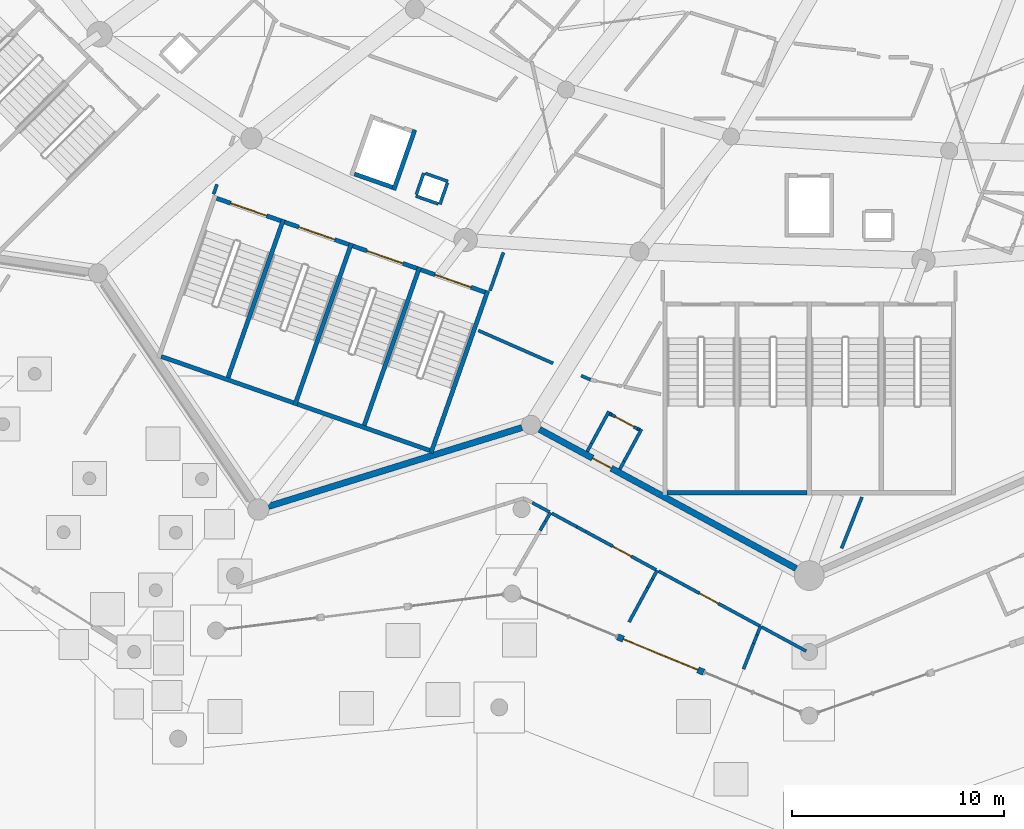
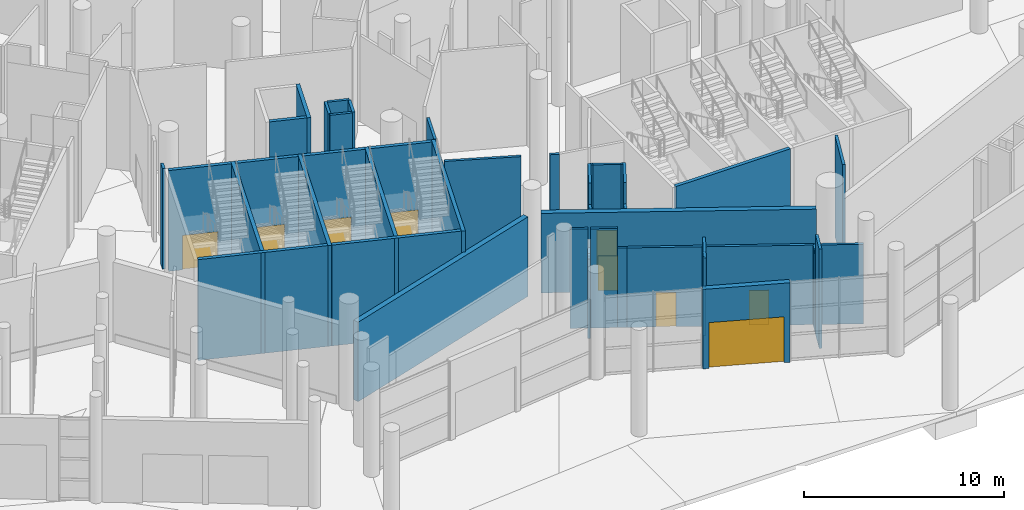
# One storey, part 104 of 255: 46 walls, 9 doors, 9 openings.
"""IFC4 building model written with IfcOpenShell, lengths in metres."""

from ifc_helpers import new_model, si_unit, direction, frame, frame_2d, origin, place, context, subcontext, project, spatial, rectangle, extrude, material, layer, layer_set, type_object, element, fill, save


model = new_model("IFC4")

# Units and contexts
model_context = context("Model", 3, precision=1e-05, world=origin(), true_north=direction((0.0, 1.0)))
body_context = subcontext(model_context, "Body", "Model", "MODEL_VIEW")
ifc_project = project(units=[si_unit("LENGTHUNIT", "METRE"), si_unit("AREAUNIT", "SQUARE_METRE"), si_unit("VOLUMEUNIT", "CUBIC_METRE"), si_unit("PLANEANGLEUNIT", "RADIAN"), si_unit("MASSUNIT", "GRAM", prefix="KILO")], contexts=[model_context])

# Site, building, storey
site_placement = place(None, origin())
site = spatial("IfcSite", under=ifc_project, at=site_placement, CompositionType="ELEMENT")
building_placement = place(site_placement, origin())
building = spatial("IfcBuilding", under=site, at=building_placement, Name="Meseta Stadium", CompositionType="ELEMENT")
storey_placement = place(building_placement, origin())
storey = spatial("IfcBuildingStorey", under=building, at=storey_placement, Name="L00", CompositionType="ELEMENT", Elevation=0.0)

# Walls
ifc_material_1 = material(Name="Concrete C40/50", Category="concrete")
ifc_layer_1 = layer(ifc_material_1, 0.199951171875)
ifc_layer_set_1 = layer_set([ifc_layer_1], Name="Core divider wall 200")
wall_type_1 = type_object("IfcWallType", Name="Core divider wall 200", PredefinedType="SHEAR", material=ifc_layer_set_1)
for number, where, z_axis, x_axis, name in (
    (1, (-65.789306640625, -96.260009765625, 0.0), (0.0, 0.0, 1.0), (0.330280610426, 0.943882788474, 0.0), "Core 22 L00 stair A divider wall"),
    (2, (-59.370849609375, -98.505859375, 0.0), (0.0, 0.0, 1.0), (0.330280610426, 0.943882788474, 0.0), "Core 22 L00 stair B divider wall"),
):
    element("IfcWall", number, at=place(storey_placement, frame(where, z_axis=z_axis, x_axis=x_axis)), inside=storey, type_object=wall_type_1, Name=name, PredefinedType="SHEAR", context=body_context, shape_type="SweptSolid", body=[
        extrude(rectangle(XDim=8.10009765625, YDim=0.199951171875, at=frame_2d((4.050048828125, 0.0))), origin(), (0.0, 0.0, 1.0), 6.14990234375),
    ])
ifc_material_2 = material(Name="Concrete C40/50", Category="concrete")
ifc_layer_2 = layer(ifc_material_2, 0.199951171875)
ifc_layer_set_2 = layer_set([ifc_layer_2], Name="Core shaft wall 200")
wall_type_2 = type_object("IfcWallType", Name="Core shaft wall 200", PredefinedType="SHEAR", material=ifc_layer_set_2)
wall_1_placement = place(storey_placement, frame((-62.580078125, -97.3828125, 0.0), z_axis=(0.0, 0.0, 1.0), x_axis=(0.330290006891, 0.943879500438, 0.0)))
element("IfcWall", 3, at=wall_1_placement, inside=storey, type_object=wall_type_2, Name="Core 22 L00 stair wall shared", PredefinedType="SHEAR", context=body_context, shape_type="SweptSolid", body=[
    extrude(rectangle(XDim=8.099853515625, YDim=0.199951171875, at=frame_2d((4.0498046875, 0.0))), origin(), (0.0, 0.0, 1.0), 6.14990234375),
])
wall_2_placement = place(storey_placement, frame((-56.16162109375, -99.62890625, 0.0), z_axis=(0.0, 0.0, 1.0), x_axis=(0.330280610426, 0.943882788474, 0.0)))
element("IfcWall", 4, at=wall_2_placement, inside=storey, type_object=wall_type_2, Name="Core 22 L00 stair wall B-side", PredefinedType="SHEAR", context=body_context, shape_type="SweptSolid", body=[
    extrude(rectangle(XDim=8.10009765625, YDim=0.199951171875, at=frame_2d((4.050048828125, 0.0))), origin(), (0.0, 0.0, 1.0), 6.14990234375),
])
for number, where, z_axis, x_axis, name in (
    (5, (-68.87109375, -95.07568359375, 0.0), (0.0, 0.0, 1.0), (0.943880844925, -0.330286164688, 0.0), "Core 22 L00 stair A outer end wall"),
    (6, (-62.45263671875, -97.321533203125, 0.0), (0.0, 0.0, 1.0), (0.943880844925, -0.330286164688, 0.0), "Core 22 L00 stair B outer end wall"),
):
    element("IfcWall", number, at=place(storey_placement, frame(where, z_axis=z_axis, x_axis=x_axis)), inside=storey, type_object=wall_type_2, Name=name, PredefinedType="SHEAR", context=body_context, shape_type="SweptSolid", body=[
        extrude(rectangle(XDim=6.60009765625, YDim=0.199951171875, at=frame_2d((3.300048828125, 0.0))), origin(), (0.0, 0.0, 1.0), 6.14990234375),
    ])

# Wall, opening, door
wall_3_placement = place(storey_placement, frame((-66.26171875, -87.618896484375, 0.0), z_axis=(0.0, 0.0, 1.0), x_axis=(0.943878576031, -0.330292648585, 0.0)))
wall_3 = element("IfcWall", 7, at=wall_3_placement, inside=storey, type_object=wall_type_2, Name="Core 22 L00 stair A1 inner end wall", PredefinedType="SHEAR", context=body_context, shape_type="SweptSolid", body=[
    extrude(rectangle(XDim=3.199951171875, YDim=0.199951171875, at=frame_2d((1.60009765625, 0.0))), origin(), (0.0, 0.0, 1.0), 6.14990234375),
])
opening_1_placement = place(wall_3_placement, frame((0.699951171875, 0.0, 0.0)))
opening_1 = element("IfcOpeningElement", 8, at=opening_1_placement, cuts=wall_3, Name="Opening D297", PredefinedType="OPENING", context=body_context, shape_type="SweptSolid", body=[
    extrude(rectangle(XDim=1.800048828125, YDim=2.10009765625, at=frame_2d((0.89990234375, 1.050048828125))), frame((0.0, 0.10986328125, 0.0), z_axis=(0.0, -1.0, 0.0), x_axis=(1.0, 0.0, 0.0)), (0.0, 0.0, 1.0), 0.219970703125),
])
ifc_material_3 = material(Name="Steel", Category="steel")
door_type_1 = type_object("IfcDoorType", Name="Stair door 1800x2100", OperationType="DOUBLE_DOOR_SINGLE_SWING", PredefinedType="DOOR", material=ifc_material_3)
door_1_placement = place(opening_1_placement, origin())
door_1 = element("IfcDoor", 9, at=door_1_placement, inside=storey, type_object=door_type_1, Name="Stair A1 door 22 L00", OperationType="DOUBLE_DOOR_SINGLE_SWING", OverallHeight=2.10009765625, OverallWidth=1.800048828125, PredefinedType="DOOR", context=body_context, shape_type="SweptSolid", body=[
    extrude(rectangle(XDim=1.800048828125, YDim=2.10009765625, at=frame_2d((0.89990234375, 1.050048828125))), frame((0.0, 0.02490234375, 0.0), z_axis=(0.0, -1.0, 0.0), x_axis=(1.0, 0.0, 0.0)), (0.0, 0.0, 1.0), 0.050048828125),
])
fill(opening_1, door_1)

wall_4_placement = place(storey_placement, frame((-63.052490234375, -88.741943359375, 0.0), z_axis=(0.0, 0.0, 1.0), x_axis=(0.943878576031, -0.330292648585, 0.0)))
wall_4 = element("IfcWall", 10, at=wall_4_placement, inside=storey, type_object=wall_type_2, Name="Core 22 L00 stair A2 inner end wall", PredefinedType="SHEAR", context=body_context, shape_type="SweptSolid", body=[
    extrude(rectangle(XDim=3.199951171875, YDim=0.199951171875, at=frame_2d((1.60009765625, 0.0))), origin(), (0.0, 0.0, 1.0), 6.14990234375),
])
opening_2_placement = place(wall_4_placement, frame((0.699951171875, 0.0, 0.0)))
opening_2 = element("IfcOpeningElement", 11, at=opening_2_placement, cuts=wall_4, Name="Opening D298", PredefinedType="OPENING", context=body_context, shape_type="SweptSolid", body=[
    extrude(rectangle(XDim=1.800048828125, YDim=2.10009765625, at=frame_2d((0.89990234375, 1.050048828125))), frame((0.0, 0.10986328125, 0.0), z_axis=(0.0, -1.0, 0.0), x_axis=(1.0, 0.0, 0.0)), (0.0, 0.0, 1.0), 0.219970703125),
])
door_2_placement = place(opening_2_placement, origin())
door_2 = element("IfcDoor", 12, at=door_2_placement, inside=storey, type_object=door_type_1, Name="Stair A2 door 22 L00", OperationType="DOUBLE_DOOR_SINGLE_SWING", OverallHeight=2.10009765625, OverallWidth=1.800048828125, PredefinedType="DOOR", context=body_context, shape_type="SweptSolid", body=[
    extrude(rectangle(XDim=1.800048828125, YDim=2.10009765625, at=frame_2d((0.89990234375, 1.050048828125))), frame((0.0, 0.02490234375, 0.0), z_axis=(0.0, -1.0, 0.0), x_axis=(1.0, 0.0, 0.0)), (0.0, 0.0, 1.0), 0.050048828125),
])
fill(opening_2, door_2)

wall_5_placement = place(storey_placement, frame((-59.843505859375, -89.864990234375, 0.0), z_axis=(0.0, 0.0, 1.0), x_axis=(0.943886898693, -0.330268863922, 0.0)))
wall_5 = element("IfcWall", 13, at=wall_5_placement, inside=storey, type_object=wall_type_2, Name="Core 22 L00 stair B1 inner end wall", PredefinedType="SHEAR", context=body_context, shape_type="SweptSolid", body=[
    extrude(rectangle(XDim=3.2001953125, YDim=0.199951171875, at=frame_2d((1.60009765625, 0.0))), origin(), (0.0, 0.0, 1.0), 6.14990234375),
])
opening_3_placement = place(wall_5_placement, frame((0.699951171875, 0.0, 0.0)))
opening_3 = element("IfcOpeningElement", 14, at=opening_3_placement, cuts=wall_5, Name="Opening D299", PredefinedType="OPENING", context=body_context, shape_type="SweptSolid", body=[
    extrude(rectangle(XDim=1.800048828125, YDim=2.10009765625, at=frame_2d((0.89990234375, 1.050048828125))), frame((0.0, 0.10986328125, 0.0), z_axis=(0.0, -1.0, 0.0), x_axis=(1.0, 0.0, 0.0)), (0.0, 0.0, 1.0), 0.219970703125),
])
door_3_placement = place(opening_3_placement, origin())
door_3 = element("IfcDoor", 15, at=door_3_placement, inside=storey, type_object=door_type_1, Name="Stair B1 door 22 L00", OperationType="DOUBLE_DOOR_SINGLE_SWING", OverallHeight=2.10009765625, OverallWidth=1.800048828125, PredefinedType="DOOR", context=body_context, shape_type="SweptSolid", body=[
    extrude(rectangle(XDim=1.800048828125, YDim=2.10009765625, at=frame_2d((0.89990234375, 1.050048828125))), frame((0.0, 0.02490234375, 0.0), z_axis=(0.0, -1.0, 0.0), x_axis=(1.0, 0.0, 0.0)), (0.0, 0.0, 1.0), 0.050048828125),
])
fill(opening_3, door_3)

wall_6_placement = place(storey_placement, frame((-56.63427734375, -90.98779296875, 0.0), z_axis=(0.0, 0.0, 1.0), x_axis=(0.943886898693, -0.330268863922, 0.0)))
wall_6 = element("IfcWall", 16, at=wall_6_placement, inside=storey, type_object=wall_type_2, Name="Core 22 L00 stair B2 inner end wall", PredefinedType="SHEAR", context=body_context, shape_type="SweptSolid", body=[
    extrude(rectangle(XDim=3.2001953125, YDim=0.199951171875, at=frame_2d((1.60009765625, 0.0))), origin(), (0.0, 0.0, 1.0), 6.14990234375),
])
opening_4_placement = place(wall_6_placement, frame((0.699951171875, 0.0, 0.0)))
opening_4 = element("IfcOpeningElement", 17, at=opening_4_placement, cuts=wall_6, Name="Opening D300", PredefinedType="OPENING", context=body_context, shape_type="SweptSolid", body=[
    extrude(rectangle(XDim=1.800048828125, YDim=2.10009765625, at=frame_2d((0.89990234375, 1.050048828125))), frame((0.0, 0.10986328125, 0.0), z_axis=(0.0, -1.0, 0.0), x_axis=(1.0, 0.0, 0.0)), (0.0, 0.0, 1.0), 0.219970703125),
])
door_4_placement = place(opening_4_placement, origin())
door_4 = element("IfcDoor", 18, at=door_4_placement, inside=storey, type_object=door_type_1, Name="Stair B2 door 22 L00", OperationType="DOUBLE_DOOR_SINGLE_SWING", OverallHeight=2.10009765625, OverallWidth=1.800048828125, PredefinedType="DOOR", context=body_context, shape_type="SweptSolid", body=[
    extrude(rectangle(XDim=1.800048828125, YDim=2.10009765625, at=frame_2d((0.89990234375, 1.050048828125))), frame((0.0, 0.02490234375, 0.0), z_axis=(0.0, -1.0, 0.0), x_axis=(1.0, 0.0, 0.0)), (0.0, 0.0, 1.0), 0.050048828125),
])
fill(opening_4, door_4)

# Walls
wall_7_placement = place(storey_placement, frame((-57.9140625, -87.227294921875, 0.0), z_axis=(0.0, 0.0, 1.0), x_axis=(0.330328674497, 0.943865968666, 0.0)))
element("IfcWall", 19, at=wall_7_placement, inside=storey, type_object=wall_type_2, Name="Core 22 L00 lift shaft wall right", PredefinedType="SHEAR", context=body_context, shape_type="SweptSolid", body=[
    extrude(rectangle(XDim=3.0, YDim=0.199951171875, at=frame_2d((1.5, 0.0))), origin(), (0.0, 0.0, 1.0), 6.14990234375),
])
wall_8_placement = place(storey_placement, frame((-59.768798828125, -86.472412109375, 0.0), z_axis=(0.0, 0.0, 1.0), x_axis=(0.943862362559, -0.330338978239, 0.0)))
element("IfcWall", 20, at=wall_8_placement, inside=storey, type_object=wall_type_2, Name="Core 22 L00 lift shaft back wall", PredefinedType="SHEAR", context=body_context, shape_type="SweptSolid", body=[
    extrude(rectangle(XDim=1.900146484375, YDim=0.199951171875, at=frame_2d((0.9501953125, 0.0))), origin(), (0.0, 0.0, 1.0), 6.14990234375),
])
wall_9_placement = place(storey_placement, frame((-45.033203125, -101.5, 0.0), z_axis=(0.0, 0.0, 1.0), x_axis=(1.0, 0.0, 0.0)))
element("IfcWall", 21, at=wall_9_placement, inside=storey, type_object=wall_type_2, Name="Core 23 L00 stair A outer end wall", PredefinedType="SHEAR", context=body_context, shape_type="SweptSolid", body=[
    extrude(rectangle(XDim=6.599853515625, YDim=0.199951171875, at=frame_2d((3.2998046875, 0.0))), origin(), (0.0, 0.0, 1.0), 6.14990234375),
])
ifc_material_4 = material(Name="Masonry blockwork", Category="masonry")
ifc_layer_3 = layer(ifc_material_4, 0.14990234375)
ifc_layer_set_3 = layer_set([ifc_layer_3], Name="Partition 150")
wall_type_3 = type_object("IfcWallType", Name="Partition 150", PredefinedType="PARTITIONING", material=ifc_layer_set_3)
wall_10_placement = place(storey_placement, frame((-66.2451171875, -86.9658203125, 0.0), z_axis=(0.0, 0.0, 1.0), x_axis=(-0.330169965897, -0.943921497594, 0.0)))
element("IfcWall", 22, at=wall_10_placement, inside=storey, type_object=wall_type_3, Name="Partition L00 L00-cell20-2-0", PredefinedType="PARTITIONING", context=body_context, shape_type="SweptSolid", body=[
    extrude(rectangle(XDim=0.482177734375, YDim=0.14990234375, at=frame_2d((0.2412109375, 0.0))), origin(), (0.0, 0.0, 1.0), 6.14990234375),
])
wall_11_placement = place(storey_placement, frame((-48.642333984375, -96.171875, 0.0), z_axis=(0.0, 0.0, 1.0), x_axis=(-0.915644030191, 0.401990062035, 0.0)))
element("IfcWall", 23, at=wall_11_placement, inside=storey, type_object=wall_type_3, Name="Partition L00 L00-cell21-2-0w", PredefinedType="PARTITIONING", context=body_context, shape_type="SweptSolid", body=[
    extrude(rectangle(XDim=0.48095703125, YDim=0.14990234375, at=frame_2d((0.240478515625, 0.0))), origin(), (0.0, 0.0, 1.0), 6.14990234375),
])
wall_12_placement = place(storey_placement, frame((-50.404052734375, -95.39794921875, 0.0), z_axis=(0.0, 0.0, 1.0), x_axis=(-0.915527241614, 0.402255975546, 0.0)))
element("IfcWall", 24, at=wall_12_placement, inside=storey, type_object=wall_type_3, Name="Partition L00 L00-cell21-2-0w", PredefinedType="PARTITIONING", context=body_context, shape_type="SweptSolid", body=[
    extrude(rectangle(XDim=3.8486328125, YDim=0.14990234375, at=frame_2d((1.92431640625, 0.0))), origin(), (0.0, 0.0, 1.0), 6.14990234375),
])
wall_13_placement = place(storey_placement, frame((-53.378662109375, -91.978759765625, 0.0), z_axis=(0.0, 0.0, 1.0), x_axis=(0.330190985446, 0.943914145, 0.0)))
element("IfcWall", 25, at=wall_13_placement, inside=storey, type_object=wall_type_3, Name="Partition L00 L00-cell21-2-0w", PredefinedType="PARTITIONING", context=body_context, shape_type="SweptSolid", body=[
    extrude(rectangle(XDim=1.909912109375, YDim=0.14990234375, at=frame_2d((0.955078125, 0.0))), origin(), (0.0, 0.0, 1.0), 6.14990234375),
])
wall_14_placement = place(storey_placement, frame((-36.806640625, -104.117431640625, 0.0), z_axis=(0.0, 0.0, 1.0), x_axis=(0.368815912395, 0.929502459795, 0.0)))
element("IfcWall", 26, at=wall_14_placement, inside=storey, type_object=wall_type_3, Name="Partition L00 L00-cell22-2-0", PredefinedType="PARTITIONING", context=body_context, shape_type="SweptSolid", body=[
    extrude(rectangle(XDim=2.600830078125, YDim=0.14990234375, at=frame_2d((1.30029296875, 0.0))), origin(), (0.0, 0.0, 1.0), 6.14990234375),
])
wall_15_placement = place(storey_placement, frame((-46.822509765625, -107.591796875, 0.0), z_axis=(0.0, 0.0, 1.0), x_axis=(0.47655544715, 0.879144416915, 0.0)))
element("IfcWall", 27, at=wall_15_placement, inside=storey, type_object=wall_type_3, Name="Partition L00 L00-ring21-0a", PredefinedType="PARTITIONING", context=body_context, shape_type="SweptSolid", body=[
    extrude(rectangle(XDim=1.848388671875, YDim=0.14990234375, at=frame_2d((0.92431640625, 0.0))), origin(), (0.0, 0.0, 1.0), 6.050048828125),
])
for number, where, z_axis, x_axis, name in (
    (28, (-45.941650390625, -105.966796875, 0.0), (0.0, 0.0, 1.0), (0.47655544715, 0.879144416915, 0.0), "Partition L00 L00-ring21-0a"),
    (29, (-45.721435546875, -105.560546875, 0.0), (0.0, 0.0, 1.0), (0.47655544715, 0.879144416915, 0.0), "Partition L00 L00-ring21-0a"),
):
    element("IfcWall", number, at=place(storey_placement, frame(where, z_axis=z_axis, x_axis=x_axis)), inside=storey, type_object=wall_type_3, Name=name, PredefinedType="PARTITIONING", context=body_context, shape_type="SweptSolid", body=[
        extrude(rectangle(XDim=0.462158203125, YDim=0.14990234375, at=frame_2d((0.23095703125, 0.0))), origin(), (0.0, 0.0, 1.0), 4.85009765625),
    ])

# Wall, opening, door
wall_16_placement = place(storey_placement, frame((-45.435302734375, -105.190185546875, 0.0), z_axis=(0.0, 0.0, 1.0), x_axis=(0.879146104636, -0.476552333647, 0.0)))
wall_16 = element("IfcWall", 30, at=wall_16_placement, inside=storey, type_object=wall_type_3, Name="Partition L00 L00-ring21-0a", PredefinedType="PARTITIONING", context=body_context, shape_type="SweptSolid", body=[
    extrude(rectangle(XDim=5.463134765625, YDim=0.14990234375, at=frame_2d((2.7314453125, 0.0))), origin(), (0.0, 0.0, 1.0), 4.85009765625),
])
opening_5_placement = place(wall_16_placement, frame((2.199951171875, 0.0, 0.0)))
opening_5 = element("IfcOpeningElement", 31, at=opening_5_placement, cuts=wall_16, Name="Opening D632", PredefinedType="OPENING", context=body_context, shape_type="SweptSolid", body=[
    extrude(rectangle(XDim=1.0, YDim=2.10009765625, at=frame_2d((0.5, 1.050048828125))), frame((0.0, 0.0849609375, 0.0), z_axis=(0.0, -1.0, 0.0), x_axis=(1.0, 0.0, 0.0)), (0.0, 0.0, 1.0), 0.169921875),
])
ifc_material_5 = material(Name="Timber", Category="wood")
door_type_2 = type_object("IfcDoorType", Name="Room door 1000x2100", OperationType="NOTDEFINED", PredefinedType="DOOR", material=ifc_material_5)
door_5_placement = place(opening_5_placement, origin())
door_5 = element("IfcDoor", 32, at=door_5_placement, inside=storey, type_object=door_type_2, Name="Door D632", OperationType="SINGLE_SWING_RIGHT", OverallHeight=2.10009765625, OverallWidth=1.0, PredefinedType="DOOR", context=body_context, shape_type="SweptSolid", body=[
    extrude(rectangle(XDim=1.0, YDim=2.10009765625, at=frame_2d((0.5, 1.050048828125))), frame((0.0, 0.02490234375, 0.0), z_axis=(0.0, -1.0, 0.0), x_axis=(1.0, 0.0, 0.0)), (0.0, 0.0, 1.0), 0.050048828125),
])
fill(opening_5, door_5)

# Walls
wall_17_placement = place(storey_placement, frame((-40.63232421875, -107.793701171875, 0.0), z_axis=(0.0, 0.0, 1.0), x_axis=(-0.369154655134, -0.929367979109, 0.0)))
element("IfcWall", 33, at=wall_17_placement, inside=storey, type_object=wall_type_3, Name="Partition L00 L00-ring21-0a", PredefinedType="PARTITIONING", context=body_context, shape_type="SweptSolid", body=[
    extrude(rectangle(XDim=0.43310546875, YDim=0.14990234375, at=frame_2d((0.216552734375, 0.0))), origin(), (0.0, 0.0, 1.0), 4.85009765625),
])
wall_18_placement = place(storey_placement, frame((-40.792236328125, -108.1962890625, 0.0), z_axis=(0.0, 0.0, 1.0), x_axis=(-0.368961389956, -0.92944472279, 0.0)))
element("IfcWall", 34, at=wall_18_placement, inside=storey, type_object=wall_type_3, Name="Partition L00 L00-ring21-0a", PredefinedType="PARTITIONING", context=body_context, shape_type="SweptSolid", body=[
    extrude(rectangle(XDim=0.433349609375, YDim=0.14990234375, at=frame_2d((0.216796875, 0.0))), origin(), (0.0, 0.0, 1.0), 4.85009765625),
])
wall_19_placement = place(storey_placement, frame((-40.9521484375, -108.59912109375, 0.0), z_axis=(0.0, 0.0, 1.0), x_axis=(-0.36879916763, -0.929509103751, 0.0)))
element("IfcWall", 35, at=wall_19_placement, inside=storey, type_object=wall_type_3, Name="Partition L00 L00-ring21-0a", PredefinedType="PARTITIONING", context=body_context, shape_type="SweptSolid", body=[
    extrude(rectangle(XDim=1.300048828125, YDim=0.14990234375, at=frame_2d((0.64990234375, 0.0))), origin(), (0.0, 0.0, 1.0), 6.050048828125),
])
wall_20_placement = place(storey_placement, frame((-51.014404296875, -103.27294921875, 0.0), z_axis=(0.0, 0.0, 1.0), x_axis=(0.500344417918, 0.865826462669, 0.0)))
element("IfcWall", 36, at=wall_20_placement, inside=storey, type_object=wall_type_3, Name="Partition L00 L00-ring21-0b1", PredefinedType="PARTITIONING", context=body_context, shape_type="SweptSolid", body=[
    extrude(rectangle(XDim=0.487060546875, YDim=0.14990234375, at=frame_2d((0.24365234375, 0.0))), origin(), (0.0, 0.0, 1.0), 4.85009765625),
])
wall_21_placement = place(storey_placement, frame((-50.770751953125, -102.851318359375, 0.0), z_axis=(0.0, 0.0, 1.0), x_axis=(0.500561685777, 0.865700871394, 0.0)))
element("IfcWall", 37, at=wall_21_placement, inside=storey, type_object=wall_type_3, Name="Partition L00 L00-ring21-0b1", PredefinedType="PARTITIONING", context=body_context, shape_type="SweptSolid", body=[
    extrude(rectangle(XDim=0.48681640625, YDim=0.14990234375, at=frame_2d((0.243408203125, 0.0))), origin(), (0.0, 0.0, 1.0), 4.85009765625),
])
wall_22_placement = place(storey_placement, frame((-50.461181640625, -102.4658203125, 0.0), z_axis=(0.0, 0.0, 1.0), x_axis=(0.879241158677, -0.476376935723, 0.0)))
element("IfcWall", 38, at=wall_22_placement, inside=storey, type_object=wall_type_3, Name="Partition L00 L00-ring21-0b1", PredefinedType="PARTITIONING", context=body_context, shape_type="SweptSolid", body=[
    extrude(rectangle(XDim=1.341796875, YDim=0.14990234375, at=frame_2d((0.6708984375, 0.0))), origin(), (0.0, 0.0, 1.0), 6.050048828125),
])
wall_23_placement = place(storey_placement, frame((-49.281494140625, -103.10498046875, 0.0), z_axis=(0.0, 0.0, 1.0), x_axis=(0.879039201484, -0.476749496334, 0.0)))
element("IfcWall", 39, at=wall_23_placement, inside=storey, type_object=wall_type_3, Name="Partition L00 L00-ring21-0b1", PredefinedType="PARTITIONING", context=body_context, shape_type="SweptSolid", body=[
    extrude(rectangle(XDim=0.47216796875, YDim=0.14990234375, at=frame_2d((0.236083984375, 0.0))), origin(), (0.0, 0.0, 1.0), 4.85009765625),
])

# Wall, opening, door
wall_24_placement = place(storey_placement, frame((-48.866455078125, -103.330078125, 0.0), z_axis=(0.0, 0.0, 1.0), x_axis=(0.879125021596, -0.476591225689, 0.0)))
wall_24 = element("IfcWall", 40, at=wall_24_placement, inside=storey, type_object=wall_type_3, Name="Partition L00 L00-ring21-0b1", PredefinedType="PARTITIONING", context=body_context, shape_type="SweptSolid", body=[
    extrude(rectangle(XDim=3.77783203125, YDim=0.14990234375, at=frame_2d((1.888916015625, 0.0))), origin(), (0.0, 0.0, 1.0), 4.85009765625),
])
opening_6_placement = place(wall_24_placement, frame((1.449951171875, 0.0, 0.0)))
opening_6 = element("IfcOpeningElement", 41, at=opening_6_placement, cuts=wall_24, Name="Opening D633", PredefinedType="OPENING", context=body_context, shape_type="SweptSolid", body=[
    extrude(rectangle(XDim=1.0, YDim=2.10009765625, at=frame_2d((0.5, 1.050048828125))), frame((0.0, 0.0849609375, 0.0), z_axis=(0.0, -1.0, 0.0), x_axis=(1.0, 0.0, 0.0)), (0.0, 0.0, 1.0), 0.169921875),
])
door_6_placement = place(opening_6_placement, origin())
door_6 = element("IfcDoor", 42, at=door_6_placement, inside=storey, type_object=door_type_2, Name="Door D633", OperationType="SINGLE_SWING_LEFT", OverallHeight=2.10009765625, OverallWidth=1.0, PredefinedType="DOOR", context=body_context, shape_type="SweptSolid", body=[
    extrude(rectangle(XDim=1.0, YDim=2.10009765625, at=frame_2d((0.5, 1.050048828125))), frame((0.0, 0.02490234375, 0.0), z_axis=(0.0, -1.0, 0.0), x_axis=(1.0, 0.0, 0.0)), (0.0, 0.0, 1.0), 0.050048828125),
])
fill(opening_6, door_6)

# Walls
wall_25_placement = place(storey_placement, frame((-51.377197265625, -101.96923828125, 0.0), z_axis=(0.0, 0.0, 1.0), x_axis=(0.879245497971, -0.476368926672, 0.0)))
element("IfcWall", 43, at=wall_25_placement, inside=storey, type_object=wall_type_3, Name="Partition L00 L00-ring21-0w", PredefinedType="PARTITIONING", context=body_context, shape_type="SweptSolid", body=[
    extrude(rectangle(XDim=0.916748046875, YDim=0.14990234375, at=frame_2d((0.45849609375, 0.0))), origin(), (0.0, 0.0, 1.0), 6.050048828125),
])
wall_26_placement = place(storey_placement, frame((-40.588134765625, -107.817626953125, 0.0), z_axis=(0.0, 0.0, 1.0), x_axis=(0.879130660661, -0.476580823666, 0.0)))
element("IfcWall", 44, at=wall_26_placement, inside=storey, type_object=wall_type_3, Name="Partition L00 L00-ring22-0", PredefinedType="PARTITIONING", context=body_context, shape_type="SweptSolid", body=[
    extrude(rectangle(XDim=2.404052734375, YDim=0.14990234375, at=frame_2d((1.2021484375, 0.0))), origin(), (0.0, 0.0, 1.0), 4.85009765625),
])
wall_27_placement = place(storey_placement, frame((-56.87451171875, -87.51171875, 0.0), z_axis=(0.0, 0.0, 1.0), x_axis=(0.943868506598, -0.330321422636, 0.0)))
element("IfcWall", 45, at=wall_27_placement, inside=storey, type_object=wall_type_3, Name="Pressurisation shaft wall L00 core 22", PredefinedType="PARTITIONING", context=body_context, shape_type="SweptSolid", body=[
    extrude(rectangle(XDim=1.125, YDim=0.14990234375, at=frame_2d((0.5625, 0.0))), origin(), (0.0, 0.0, 1.0), 6.14990234375),
])
wall_28_placement = place(storey_placement, frame((-55.741943359375, -87.907958984375, 0.0), z_axis=(0.0, 0.0, 1.0), x_axis=(0.330229022821, 0.94390083827, 0.0)))
element("IfcWall", 46, at=wall_28_placement, inside=storey, type_object=wall_type_3, Name="Pressurisation shaft wall L00 core 22", PredefinedType="PARTITIONING", context=body_context, shape_type="SweptSolid", body=[
    extrude(rectangle(XDim=1.074951171875, YDim=0.14990234375, at=frame_2d((0.53759765625, 0.0))), origin(), (0.0, 0.0, 1.0), 6.14990234375),
])
wall_29_placement = place(storey_placement, frame((-55.362060546875, -86.822509765625, 0.0), z_axis=(0.0, 0.0, 1.0), x_axis=(-0.94389218008, 0.330253769674, 0.0)))
element("IfcWall", 47, at=wall_29_placement, inside=storey, type_object=wall_type_3, Name="Pressurisation shaft wall L00 core 22", PredefinedType="PARTITIONING", context=body_context, shape_type="SweptSolid", body=[
    extrude(rectangle(XDim=1.125244140625, YDim=0.14990234375, at=frame_2d((0.5625, 0.0))), origin(), (0.0, 0.0, 1.0), 6.14990234375),
])
wall_30_placement = place(storey_placement, frame((-56.49462890625, -86.42626953125, 0.0), z_axis=(0.0, 0.0, 1.0), x_axis=(-0.330431350225, -0.943830028548, 0.0)))
element("IfcWall", 48, at=wall_30_placement, inside=storey, type_object=wall_type_3, Name="Pressurisation shaft wall L00 core 22", PredefinedType="PARTITIONING", context=body_context, shape_type="SweptSolid", body=[
    extrude(rectangle(XDim=1.074951171875, YDim=0.14990234375, at=frame_2d((0.53759765625, 0.0))), origin(), (0.0, 0.0, 1.0), 6.14990234375),
])
wall_31_placement = place(storey_placement, frame((-47.260009765625, -100.390380859375, 0.0), z_axis=(0.0, 0.0, 1.0), x_axis=(0.476941496056, 0.878935042731, 0.0)))
element("IfcWall", 49, at=wall_31_placement, inside=storey, type_object=wall_type_3, Name="Partition L00 L00-cell21-3-0 vestibule", PredefinedType="PARTITIONING", context=body_context, shape_type="SweptSolid", body=[
    extrude(rectangle(XDim=0.429931640625, YDim=0.14990234375, at=frame_2d((0.21484375, 0.0))), origin(), (0.0, 0.0, 1.0), 4.85009765625),
])
wall_32_placement = place(storey_placement, frame((-47.054931640625, -100.012451171875, 0.0), z_axis=(0.0, 0.0, 1.0), x_axis=(0.476493473241, 0.879178008118, 0.0)))
element("IfcWall", 50, at=wall_32_placement, inside=storey, type_object=wall_type_3, Name="Partition L00 L00-cell21-3-0 vestibule", PredefinedType="PARTITIONING", context=body_context, shape_type="SweptSolid", body=[
    extrude(rectangle(XDim=1.719970703125, YDim=0.14990234375, at=frame_2d((0.85986328125, 0.0))), origin(), (0.0, 0.0, 1.0), 6.14990234375),
])
wall_33_placement = place(storey_placement, frame((-48.798583984375, -99.556396484375, 0.0), z_axis=(0.0, 0.0, 1.0), x_axis=(0.476941496056, 0.878935042731, 0.0)))
element("IfcWall", 51, at=wall_33_placement, inside=storey, type_object=wall_type_3, Name="Partition L00 L00-cell21-3-0 vestibule", PredefinedType="PARTITIONING", context=body_context, shape_type="SweptSolid", body=[
    extrude(rectangle(XDim=0.429931640625, YDim=0.14990234375, at=frame_2d((0.21484375, 0.0))), origin(), (0.0, 0.0, 1.0), 4.85009765625),
])
wall_34_placement = place(storey_placement, frame((-48.593505859375, -99.178466796875, 0.0), z_axis=(0.0, 0.0, 1.0), x_axis=(0.476493473241, 0.879178008118, 0.0)))
element("IfcWall", 52, at=wall_34_placement, inside=storey, type_object=wall_type_3, Name="Partition L00 L00-cell21-3-0 vestibule", PredefinedType="PARTITIONING", context=body_context, shape_type="SweptSolid", body=[
    extrude(rectangle(XDim=1.719970703125, YDim=0.14990234375, at=frame_2d((0.85986328125, 0.0))), origin(), (0.0, 0.0, 1.0), 6.14990234375),
])
wall_35_placement = place(storey_placement, frame((-46.3369140625, -98.530517578125, 0.0), z_axis=(0.0, 0.0, 1.0), x_axis=(-0.879844251761, 0.475262130453, 0.0)))
element("IfcWall", 53, at=wall_35_placement, inside=storey, type_object=wall_type_3, Name="Partition L00 L00-cell21-3-0 vestibule", PredefinedType="PARTITIONING", context=body_context, shape_type="SweptSolid", body=[
    extrude(rectangle(XDim=0.10009765625, YDim=0.14990234375, at=frame_2d((0.050048828125, 0.0))), origin(), (0.0, 0.0, 1.0), 6.14990234375),
])

# Wall, opening, door
wall_36_placement = place(storey_placement, frame((-46.425048828125, -98.48291015625, 0.0), z_axis=(0.0, 0.0, 1.0), x_axis=(-0.879112361763, 0.476614577405, 0.0)))
wall_36 = element("IfcWall", 54, at=wall_36_placement, inside=storey, type_object=wall_type_3, Name="Partition L00 L00-cell21-3-0 vestibule", PredefinedType="PARTITIONING", context=body_context, shape_type="SweptSolid", body=[
    extrude(rectangle(XDim=1.39990234375, YDim=0.14990234375, at=frame_2d((0.699951171875, 0.0))), origin(), (0.0, 0.0, 1.0), 6.14990234375),
])
opening_7_placement = place(wall_36_placement, frame((0.199951171875, 0.0, 0.0)))
opening_7 = element("IfcOpeningElement", 55, at=opening_7_placement, cuts=wall_36, Name="Opening D859", PredefinedType="OPENING", context=body_context, shape_type="SweptSolid", body=[
    extrude(rectangle(XDim=1.0, YDim=2.10009765625, at=frame_2d((0.5, 1.050048828125))), frame((0.0, 0.0849609375, 0.0), z_axis=(0.0, -1.0, 0.0), x_axis=(1.0, 0.0, 0.0)), (0.0, 0.0, 1.0), 0.169921875),
])
ifc_material_6 = material(Name="Steel", Category="steel")
door_type_3 = type_object("IfcDoorType", Name="Fire door 1000x2100 EI2 60", OperationType="NOTDEFINED", PredefinedType="DOOR", material=ifc_material_6)
door_7_placement = place(opening_7_placement, origin())
door_7 = element("IfcDoor", 56, at=door_7_placement, inside=storey, type_object=door_type_3, Name="Vestibule door L00 L00-cell21-3-0", OperationType="SINGLE_SWING_LEFT", OverallHeight=2.10009765625, OverallWidth=1.0, PredefinedType="DOOR", context=body_context, shape_type="SweptSolid", body=[
    extrude(rectangle(XDim=1.0, YDim=2.10009765625, at=frame_2d((0.5, 1.050048828125))), frame((0.0, 0.02490234375, 0.0), z_axis=(0.0, -1.0, 0.0), x_axis=(1.0, 0.0, 0.0)), (0.0, 0.0, 1.0), 0.050048828125),
])
fill(opening_7, door_7)

# Walls
wall_37_placement = place(storey_placement, frame((-47.65576171875, -97.815673828125, 0.0), z_axis=(0.0, 0.0, 1.0), x_axis=(-0.879291966537, 0.476283148541, 0.0)))
element("IfcWall", 57, at=wall_37_placement, inside=storey, type_object=wall_type_3, Name="Partition L00 L00-cell21-3-0 vestibule", PredefinedType="PARTITIONING", context=body_context, shape_type="SweptSolid", body=[
    extrude(rectangle(XDim=0.099853515625, YDim=0.14990234375, at=frame_2d((0.0498046875, 0.0))), origin(), (0.0, 0.0, 1.0), 6.14990234375),
])
ifc_material_7 = material(Name="White precast concrete C40/50", Category="concrete")
ifc_layer_4 = layer(ifc_material_7, 0.300048828125)
ifc_layer_set_4 = layer_set([ifc_layer_4], Name="Pleated panel wall 300 concourse")
wall_type_4 = type_object("IfcWallType", Name="Pleated panel wall 300 concourse", PredefinedType="SOLIDWALL", material=ifc_layer_set_4)
wall_38_placement = place(storey_placement, frame((-51.87109375, -98.427978515625, 0.0), z_axis=(0.0, 0.0, 1.0), x_axis=(-0.954916036354, -0.29687600697, 0.0)))
element("IfcWall", 58, at=wall_38_placement, inside=storey, type_object=wall_type_4, Name="Pleated facade panel L00 F42", PredefinedType="SOLIDWALL", context=body_context, shape_type="SweptSolid", body=[
    extrude(rectangle(XDim=12.51318359375, YDim=0.300048828125, at=frame_2d((6.256591796875, 0.0))), origin(), (0.0, 0.0, 1.0), 4.85009765625),
])

# Wall, opening, door
wall_39_placement = place(storey_placement, frame((-38.948486328125, -105.06640625, 0.0), z_axis=(0.0, 0.0, 1.0), x_axis=(-0.879144247164, 0.476555760304, 0.0)))
wall_39 = element("IfcWall", 59, at=wall_39_placement, inside=storey, type_object=wall_type_4, Name="Pleated facade panel L00 F43", PredefinedType="SOLIDWALL", context=body_context, shape_type="SweptSolid", body=[
    extrude(rectangle(XDim=13.760498046875, YDim=0.300048828125, at=frame_2d((6.88037109375, 0.0))), origin(), (0.0, 0.0, 1.0), 4.85009765625),
])
opening_8_placement = place(wall_39_placement, frame((9.910400390625, 0.0, 0.0)))
opening_8 = element("IfcOpeningElement", 60, at=opening_8_placement, cuts=wall_39, Name="Opening D978", PredefinedType="OPENING", context=body_context, shape_type="SweptSolid", body=[
    extrude(rectangle(XDim=1.0, YDim=2.10009765625, at=frame_2d((0.5, 1.050048828125))), frame((0.0, 0.159912109375, 0.0), z_axis=(0.0, -1.0, 0.0), x_axis=(1.0, 0.0, 0.0)), (0.0, 0.0, 1.0), 0.320068359375),
])
door_8_placement = place(opening_8_placement, origin())
door_8 = element("IfcDoor", 61, at=door_8_placement, inside=storey, type_object=door_type_3, Name="Concourse door", OperationType="SINGLE_SWING_RIGHT", OverallHeight=2.10009765625, OverallWidth=1.0, PredefinedType="DOOR", context=body_context, shape_type="SweptSolid", body=[
    extrude(rectangle(XDim=1.0, YDim=2.10009765625, at=frame_2d((0.5, 1.050048828125))), frame((0.0, 0.02490234375, 0.0), z_axis=(0.0, -1.0, 0.0), x_axis=(1.0, 0.0, 0.0)), (0.0, 0.0, 1.0), 0.050048828125),
])
fill(opening_8, door_8)

ifc_material_8 = material(Name="Precast concrete C40/50", Category="concrete")
ifc_layer_5 = layer(ifc_material_8, 0.300048828125)
ifc_layer_set_5 = layer_set([ifc_layer_5], Name="Ring facade panel wall 300")
wall_type_5 = type_object("IfcWallType", Name="Ring facade panel wall 300", PredefinedType="SOLIDWALL", material=ifc_layer_set_5)
wall_40_placement = place(storey_placement, frame((-43.30029296875, -109.95849609375, 0.0), z_axis=(0.0, 0.0, 1.0), x_axis=(-0.924914628692, 0.380174867175, 0.0)))
wall_40 = element("IfcWall", 62, at=wall_40_placement, inside=storey, type_object=wall_type_5, Name="Ring facade panel wall F43", PredefinedType="SOLIDWALL", context=body_context, shape_type="SweptSolid", body=[
    extrude(rectangle(XDim=4.400146484375, YDim=0.300048828125, at=frame_2d((2.2001953125, 0.0))), origin(), (0.0, 0.0, 1.0), 4.85009765625),
])
opening_9_placement = place(wall_40_placement, frame((0.300048828125, 0.0, 0.0)))
opening_9 = element("IfcOpeningElement", 63, at=opening_9_placement, cuts=wall_40, Name="Opening D963", PredefinedType="OPENING", context=body_context, shape_type="SweptSolid", body=[
    extrude(rectangle(XDim=3.800048828125, YDim=2.800048828125, at=frame_2d((1.89990234375, 1.39990234375))), frame((0.0, 0.159912109375, 0.0), z_axis=(0.0, -1.0, 0.0), x_axis=(1.0, 0.0, 0.0)), (0.0, 0.0, 1.0), 0.320068359375),
])
ifc_material_9 = material(Name="Steel", Category="steel")
door_type_4 = type_object("IfcDoorType", Name="Final exit door 3800x2800", OperationType="DOUBLE_DOOR_SINGLE_SWING", PredefinedType="DOOR", material=ifc_material_9)
door_9_placement = place(opening_9_placement, origin())
door_9 = element("IfcDoor", 64, at=door_9_placement, inside=storey, type_object=door_type_4, Name="Final exit F28", OperationType="DOUBLE_DOOR_SINGLE_SWING", OverallHeight=2.800048828125, OverallWidth=3.800048828125, PredefinedType="DOOR", context=body_context, shape_type="SweptSolid", body=[
    extrude(rectangle(XDim=3.800048828125, YDim=2.800048828125, at=frame_2d((1.89990234375, 1.39990234375))), frame((0.0, 0.02490234375, 0.0), z_axis=(0.0, -1.0, 0.0), x_axis=(1.0, 0.0, 0.0)), (0.0, 0.0, 1.0), 0.050048828125),
])
fill(opening_9, door_9)

save(model, "model.ifc")
